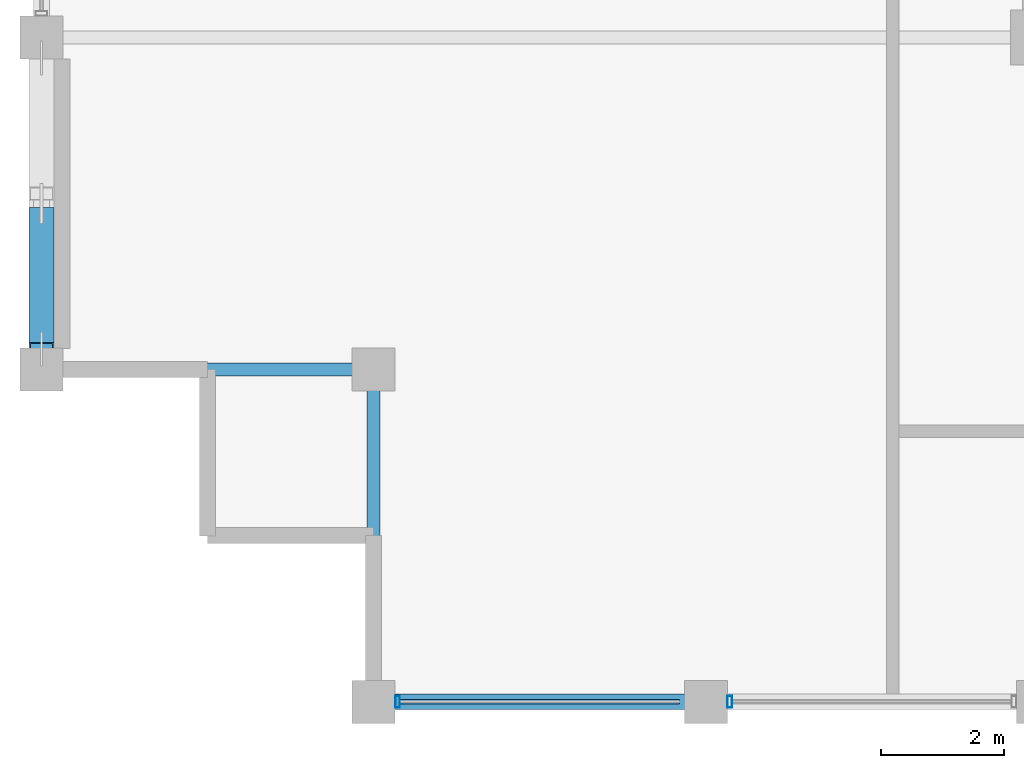
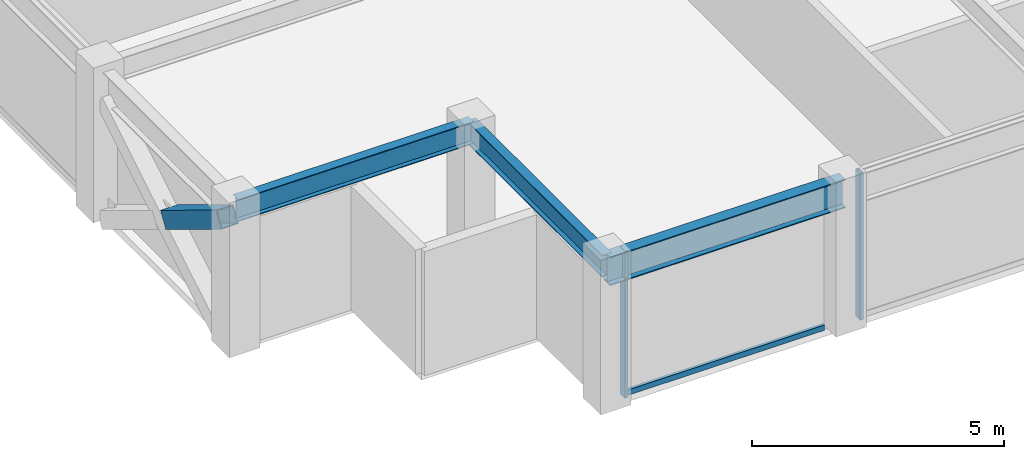
# One storey, part 2 of 30: 4 members, 3 beams, 1 element without a shape of its own.
"""IFC4 building model written with IfcOpenShell, lengths in metres."""

from ifc_helpers import new_model, si_unit, direction, frame, origin, origin_2d, place, context, subcontext, project, spatial, hollow_rectangle, i_section, extrude, material, layer, layer_set, material_profile, profile_set, type_object, element, aggregate, save


model = new_model("IFC4")

# Units and contexts
model_context = context("Model", 3, precision=1e-05, world=origin(), true_north=direction((0.0, 1.0)))
body_context = subcontext(model_context, "Body", "Model", "MODEL_VIEW")
ifc_project = project(units=[si_unit("LENGTHUNIT", "METRE"), si_unit("AREAUNIT", "SQUARE_METRE"), si_unit("VOLUMEUNIT", "CUBIC_METRE"), si_unit("PLANEANGLEUNIT", "RADIAN"), si_unit("MASSUNIT", "GRAM", prefix="KILO")], contexts=[model_context])

# Site, building, storey
site_placement = place(None, origin())
site = spatial("IfcSite", under=ifc_project, at=site_placement, CompositionType="ELEMENT")
building_placement = place(site_placement, origin())
building = spatial("IfcBuilding", under=site, at=building_placement, Name="Surkhivell Harbour Commons", CompositionType="ELEMENT")
storey_placement = place(building_placement, frame((0.0, 0.0, 296.25)))
storey = spatial("IfcBuildingStorey", under=building, at=storey_placement, Name="L77", CompositionType="ELEMENT", Elevation=296.25)

# Beams
ifc_material_1 = material(Name="Steel S355", Category="steel")
ifc_material_profile_1 = material_profile(ifc_material_1, i_section(OverallWidth=0.2099609375, OverallDepth=0.537109375, WebThickness=0.0107421875, FlangeThickness=0.017333984375, at=origin_2d()), Name="UB533x210x101")
ifc_profile_set_1 = profile_set([ifc_material_profile_1], Name="Steel S355")
beam_type_1 = type_object("IfcBeamType", Name="BM-GRD-533B", PredefinedType="BEAM", material=ifc_profile_set_1)
beam_1_placement = place(storey_placement, frame((-27.0, -16.199951171875, 3.301513671875), z_axis=(1.0, 0.0, 0.0), x_axis=(0.0, 1.0, 0.0)))
element("IfcBeam", 1, at=beam_1_placement, inside=storey, type_object=beam_type_1, Name="L77 Floor Girder (-27.0,-16.2)", PredefinedType="BEAM", context=body_context, shape_type="SweptSolid", body=[
    extrude(i_section(OverallWidth=0.2099609375, OverallDepth=0.537109375, WebThickness=0.0107421875, FlangeThickness=0.017333984375, at=origin_2d()), origin(), (0.0, 0.0, 1.0), 5.39990234375),
])
beam_2_placement = place(storey_placement, frame((-21.60009765625, -21.60009765625, 3.301513671875), z_axis=(0.0, 1.0, 0.0), x_axis=(-1.0, 0.0, 0.0)))
element("IfcBeam", 2, at=beam_2_placement, inside=storey, type_object=beam_type_1, Name="L77 Floor Girder (-21.6,-21.6)", PredefinedType="BEAM", context=body_context, shape_type="SweptSolid", body=[
    extrude(i_section(OverallWidth=0.2099609375, OverallDepth=0.537109375, WebThickness=0.0107421875, FlangeThickness=0.017333984375, at=origin_2d()), origin(), (0.0, 0.0, 1.0), 5.400146484375),
])
ifc_material_profile_2 = material_profile(ifc_material_1, i_section(OverallWidth=0.256103515625, OverallDepth=0.693115234375, WebThickness=0.014404296875, FlangeThickness=0.023681640625, at=origin_2d()), Name="UB686x254x170")
ifc_profile_set_2 = profile_set([ifc_material_profile_2], Name="Steel S355")
beam_type_2 = type_object("IfcBeamType", Name="BM-SPN-686", PredefinedType="SPANDREL", material=ifc_profile_set_2)
beam_3_placement = place(storey_placement, frame((-21.60009765625, -21.60009765625, 3.223388671875), z_axis=(1.0, 0.0, 0.0), x_axis=(0.0, 1.0, 0.0)))
element("IfcBeam", 3, at=beam_3_placement, inside=storey, type_object=beam_type_2, Name="L77 Tube Spandrel (-21.6,-21.6)", PredefinedType="SPANDREL", context=body_context, shape_type="SweptSolid", body=[
    extrude(i_section(OverallWidth=0.256103515625, OverallDepth=0.693115234375, WebThickness=0.014404296875, FlangeThickness=0.023681640625, at=origin_2d()), origin(), (0.0, 0.0, 1.0), 5.400146484375),
])

# Curtain wall, members
ifc_material_2 = material(Name="Anodised pale-metal aluminium and insulated glazing", Category="aluminium")
ifc_layer = layer(ifc_material_2, 0.175048828125)
ifc_layer_set = layer_set([ifc_layer], Name="Anodised pale-metal aluminium and insulated glazing")
curtain_wall_type = type_object("IfcCurtainWallType", Name="CW-SYS-Z4", PredefinedType="NOTDEFINED", material=ifc_layer_set)
curtain_wall_placement = place(storey_placement, origin())
curtain_wall = element("IfcCurtainWall", 4, at=curtain_wall_placement, inside=storey, type_object=curtain_wall_type, Name="L77 Curtain Wall CW-L77-E00S1", PredefinedType="NOTDEFINED")
ifc_material_3 = material(Name="Anodised pale-metal aluminium alloy 6063-T6", Category="aluminium")
ifc_material_profile_3 = material_profile(ifc_material_3, hollow_rectangle(XDim=0.074951171875, YDim=0.18994140625, WallThickness=0.00390625, at=origin_2d()), Name="ALU-MULL-75x190")
ifc_profile_set_3 = profile_set([ifc_material_profile_3], Name="Anodised pale-metal aluminium alloy 6063-T6")
member_type_1 = type_object("IfcMemberType", Name="CWM-190", PredefinedType="MULLION", material=ifc_profile_set_3)
member_1_placement = place(storey_placement, frame((-21.21044921875, -21.60009765625, 0.0), z_axis=(0.0, 0.0, 1.0), x_axis=(1.0, 0.0, 0.0)))
member_1 = element("IfcMember", 5, at=member_1_placement, type_object=member_type_1, Name="CW-Z4 mullion 1", PredefinedType="MULLION", context=body_context, shape_type="SweptSolid", body=[
    extrude(hollow_rectangle(XDim=0.074951171875, YDim=0.18994140625, WallThickness=0.00390625, at=origin_2d()), origin(), (0.0, 0.0, 1.0), 3.570068359375),
])
member_2_placement = place(storey_placement, frame((-15.810546875, -21.60009765625, 0.0), z_axis=(0.0, 0.0, 1.0), x_axis=(1.0, 0.0, 0.0)))
member_2 = element("IfcMember", 6, at=member_2_placement, type_object=member_type_1, Name="CW-Z4 mullion 2", PredefinedType="MULLION", context=body_context, shape_type="SweptSolid", body=[
    extrude(hollow_rectangle(XDim=0.074951171875, YDim=0.18994140625, WallThickness=0.00390625, at=origin_2d()), origin(), (0.0, 0.0, 1.0), 3.570068359375),
])
ifc_material_4 = material(Name="Champagne anodised aluminium alloy 6063-T6", Category="aluminium")
ifc_material_profile_4 = material_profile(ifc_material_4, hollow_rectangle(XDim=0.070068359375, YDim=0.1298828125, WallThickness=0.00341796875, at=origin_2d()), Name="ALU-TRAN-70x130")
ifc_profile_set_4 = profile_set([ifc_material_profile_4], Name="Champagne anodised aluminium alloy 6063-T6")
member_type_2 = type_object("IfcMemberType", Name="CWT-130", PredefinedType="USERDEFINED", material=ifc_profile_set_4)
member_3_placement = place(storey_placement, frame((-21.173095703125, -21.60009765625, 0.06494140625), z_axis=(1.0, 0.0, 0.0), x_axis=(0.0, 1.0, 0.0)))
member_3 = element("IfcMember", 7, at=member_3_placement, type_object=member_type_2, Name="CW-Z4 transom 1.1", ObjectType="TRANSOM", PredefinedType="USERDEFINED", context=body_context, shape_type="SweptSolid", body=[
    extrude(hollow_rectangle(XDim=0.070068359375, YDim=0.1298828125, WallThickness=0.00341796875, at=origin_2d()), origin(), (0.0, 0.0, 1.0), 4.546142578125),
])
aggregate(curtain_wall, [member_1, member_3, member_2])

# Member
ifc_material_5 = material(Name="Steel S460", Category="steel")
ifc_material_profile_5 = material_profile(ifc_material_5, hollow_rectangle(XDim=0.39990234375, YDim=0.39990234375, WallThickness=0.02001953125, at=origin_2d()), Name="SHS400x400x20")
ifc_profile_set_5 = profile_set([ifc_material_profile_5], Name="Steel S460")
member_type_3 = type_object("IfcMemberType", Name="MEM-BRC-SHS400", PredefinedType="BRACE", material=ifc_profile_set_5)
member_4_placement = place(storey_placement, frame((-27.0, -13.6640625, 1.544189453125), z_axis=(0.0, -0.854677846108, 0.519158722716), x_axis=(1.0, 0.0, 0.0)))
element("IfcMember", 8, at=member_4_placement, inside=storey, type_object=member_type_3, Name="L77 Perimeter Mega-Brace MB- 12", PredefinedType="BRACE", context=body_context, shape_type="SweptSolid", body=[
    extrude(hollow_rectangle(XDim=0.39990234375, YDim=0.39990234375, WallThickness=0.02001953125, at=origin_2d()), origin(), (0.0, 0.0, 1.0), 2.5751953125),
])

save(model, "model.ifc")
